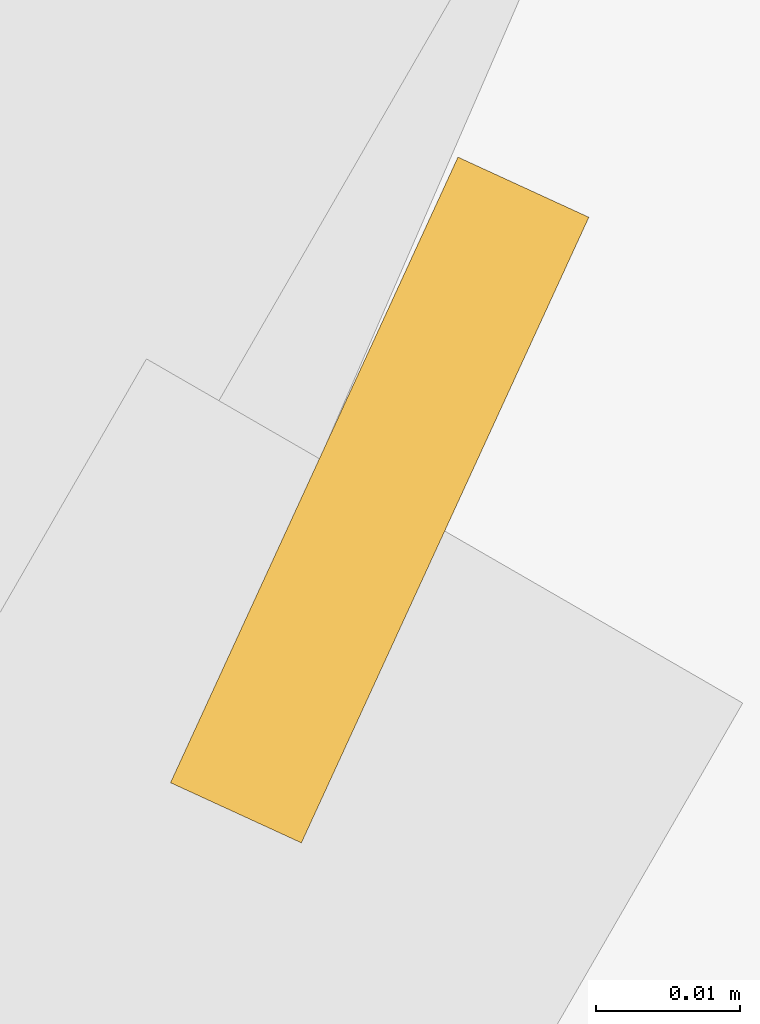
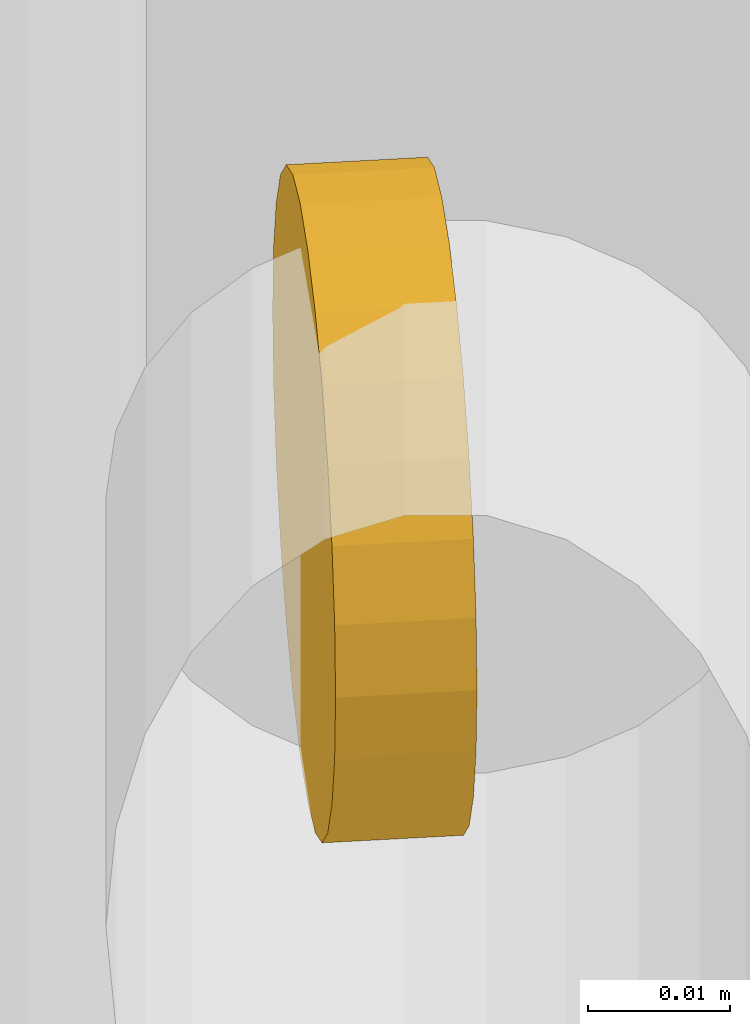
# One storey, part 31 of 32: 1 railing.
"""IFC4 building model written with IfcOpenShell, lengths in metres."""

from ifc_helpers import new_model, si_unit, direction, frame, origin, origin_2d, place, context, subcontext, project, spatial, circle, extrude, material, type_object, element, save


model = new_model("IFC4")

# Units and contexts
model_context = context("Model", 3, precision=1e-05, world=origin(), true_north=direction((0.0, 1.0)))
body_context = subcontext(model_context, "Body", "Model", "MODEL_VIEW")
ifc_project = project(units=[si_unit("LENGTHUNIT", "METRE"), si_unit("AREAUNIT", "SQUARE_METRE"), si_unit("VOLUMEUNIT", "CUBIC_METRE"), si_unit("PLANEANGLEUNIT", "RADIAN"), si_unit("MASSUNIT", "GRAM", prefix="KILO")], contexts=[model_context])

# Site, building, storey
site_placement = place(None, origin())
site = spatial("IfcSite", under=ifc_project, at=site_placement, CompositionType="ELEMENT")
building_placement = place(site_placement, origin())
building = spatial("IfcBuilding", under=site, at=building_placement, Name="Spindle Arch Residences", CompositionType="ELEMENT")
storey_placement = place(building_placement, frame((0.0, 0.0, 76.699951171875)))
storey = spatial("IfcBuildingStorey", under=building, at=storey_placement, Name="L17", CompositionType="ELEMENT", Elevation=76.699951171875)

# Railing
ifc_material = material(Name="Bronze anodised aluminium handrail", Category="aluminium")
railing_type = type_object("IfcRailingType", Name="Terrace handrail 900", PredefinedType="HANDRAIL", material=ifc_material)
railing_placement = place(storey_placement, frame((-10.556640625, 23.9912109375, 0.030029296875)))
element("IfcRailing", 1, at=railing_placement, inside=storey, type_object=railing_type, Name="Terrace handrail L16 5", PredefinedType="HANDRAIL", context=body_context, shape_type="SweptSolid", body=[
    extrude(circle(Radius=0.02392578125, at=origin_2d()), frame((0.0, 0.0, 0.8759765625), z_axis=(-0.908676843963, 0.417500171551, 0.0), x_axis=(-0.417500171551, -0.908676843963, 0.0)), (0.0, 0.0, 1.0), 0.010009765625),
])

save(model, "model.ifc")
